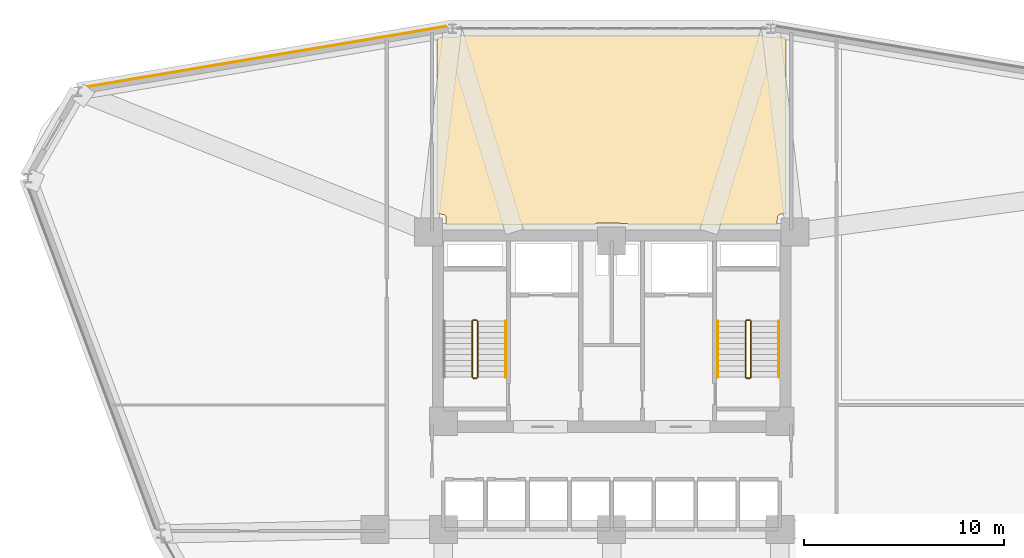
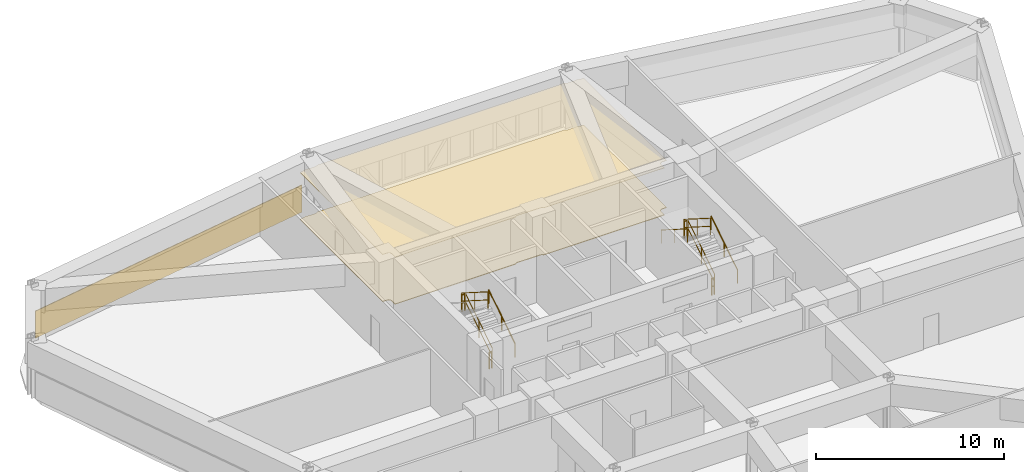
# One storey, part 19 of 20: 11 railings, 3 coverings.
"""IFC4 building model written with IfcOpenShell, lengths in metres."""

from ifc_helpers import new_model, si_unit, derived_unit, direction, frame, origin, origin_2d, place, context, subcontext, project, spatial, polyline, circle, outline, extrude, material, layer, layer_set, type_object, element, save


model = new_model("IFC4")

# Units and contexts
model_context = context("Model", 3, precision=1e-05, world=origin(), true_north=direction((0.0, 1.0)))
body_context = subcontext(model_context, "Body", "Model", "MODEL_VIEW")
ifc_project = project(units=[si_unit("LENGTHUNIT", "METRE"), si_unit("AREAUNIT", "SQUARE_METRE"), si_unit("VOLUMEUNIT", "CUBIC_METRE"), si_unit("PLANEANGLEUNIT", "RADIAN"), si_unit("MASSUNIT", "GRAM", prefix="KILO"), derived_unit("THERMALTRANSMITTANCEUNIT", [(si_unit("POWERUNIT", "WATT"), 1), (si_unit("LENGTHUNIT", "METRE"), -2), (si_unit("THERMODYNAMICTEMPERATUREUNIT", "KELVIN"), -1)])], contexts=[model_context])

# Site, building, storey
site_placement = place(None, origin())
site = spatial("IfcSite", under=ifc_project, at=site_placement, CompositionType="ELEMENT")
building_placement = place(site_placement, origin())
building = spatial("IfcBuilding", under=site, at=building_placement, Name="Korsvarv Bourse and Concert Hall", CompositionType="ELEMENT")
storey_placement = place(building_placement, frame((0.0, 0.0, 43.5)))
storey = spatial("IfcBuildingStorey", under=building, at=storey_placement, Name="L10", CompositionType="ELEMENT", Elevation=43.5)

# Coverings
ifc_material_1 = material(Name="Perforated mineral-wool and birch acoustic baffle ceiling", Category="wood")
ifc_layer_1 = layer(ifc_material_1, 0.02490234375)
ifc_layer_set_1 = layer_set([ifc_layer_1], Name="Perforated mineral-wool and birch acoustic baffle ceiling")
covering_type_1 = type_object("IfcCoveringType", Name="COV-CEIL-1", PredefinedType="CEILING", material=ifc_layer_set_1)
covering_1_placement = place(storey_placement, frame((0.0, 0.0, 3.06005859375)))
element("IfcCovering", 1, at=covering_1_placement, inside=storey, type_object=covering_type_1, Name="L10 acoustic baffle ceiling 3", PredefinedType="CEILING", context=body_context, shape_type="SweptSolid", body=[
    extrude(outline(polyline([(27.753173828125, 57.00537109375), (27.781494140625, 56.993408203125), (27.8154296875, 56.98583984375), (28.266845703125, 56.974609375), (28.302001953125, 56.977294921875), (28.336181640625, 56.98681640625), (28.367919921875, 57.002685546875), (28.395751953125, 57.02490234375), (28.418701171875, 57.0517578125), (43.57177734375, 57.0615234375), (43.59033203125, 57.038818359375), (43.616943359375, 57.016357421875), (43.6474609375, 56.99951171875), (43.680419921875, 56.98876953125), (43.715087890625, 56.984619140625), (44.14892578125, 56.974609375), (44.184326171875, 56.977294921875), (44.21875, 56.98681640625), (44.25048828125, 57.0029296875), (44.7099609375, 56.927490234375), (44.7099609375, 48.139892578125), (44.449951171875, 48.139892578125), (44.415283203125, 48.13671875), (44.3818359375, 48.126708984375), (44.35107421875, 48.1103515625), (44.323974609375, 48.08837890625), (44.301513671875, 48.061767578125), (44.28466796875, 48.03125), (44.274169921875, 47.998046875), (44.27001953125, 47.96337890625), (44.26318359375, 47.60009765625), (36.859619140625, 47.60009765625), (36.837646484375, 47.626708984375), (36.810791015625, 47.649169921875), (36.77978515625, 47.666015625), (36.74609375, 47.67626953125), (36.711181640625, 47.679931640625), (35.30126953125, 47.68994140625), (35.266357421875, 47.686767578125), (35.232421875, 47.677001953125), (35.201416015625, 47.66064453125), (35.174072265625, 47.638427734375), (35.1513671875, 47.611572265625), (27.739990234375, 47.60009765625), (27.739990234375, 47.949951171875), (27.736572265625, 47.984619140625), (27.726806640625, 48.01806640625), (27.71044921875, 48.048828125), (27.688720703125, 48.075927734375), (27.662109375, 48.098388671875), (27.631591796875, 48.114990234375), (27.598388671875, 48.125732421875), (27.56396484375, 48.1298828125), (27.2900390625, 48.135986328125), (27.2900390625, 56.927490234375), (27.753173828125, 57.00537109375)])), origin(), (0.0, 0.0, 1.0), 0.02490234375),
])
ifc_material_2 = material(Name="Warm iron-oxide extruded terracotta rainscreen tile", Category="ceramic")
ifc_layer_2 = layer(ifc_material_2, 0.044921875)
ifc_layer_set_2 = layer_set([ifc_layer_2], Name="Warm iron-oxide extruded terracotta rainscreen tile")
covering_type_2 = type_object("IfcCoveringType", Name="COV-CLD-TC", PredefinedType="CLADDING", material=ifc_layer_set_2)
covering_2_placement = place(storey_placement, origin())
element("IfcCovering", 2, at=covering_2_placement, inside=storey, type_object=covering_type_2, Name="L10 fluted terracotta cladding panel EW-L10-B04", PredefinedType="CLADDING", context=body_context, shape_type="SweptSolid", body=[
    extrude(outline(polyline([(27.740478515625, 57.48486328125), (9.636474609375, 54.440185546875), (9.62890625, 54.484619140625), (27.733154296875, 57.529296875), (27.740478515625, 57.48486328125)])), origin(), (0.0, 0.0, 1.0), 1.760009765625),
])
ifc_material_3 = material(Name="Calcium-sulphate raised access trading floor with Nordic oak top", Category="wood")
ifc_layer_3 = layer(ifc_material_3, 0.0400390625)
ifc_layer_set_3 = layer_set([ifc_layer_3], Name="Calcium-sulphate raised access trading floor with Nordic oak top")
covering_type_3 = type_object("IfcCoveringType", Name="COV-FLOR-1", PredefinedType="FLOORING", material=ifc_layer_set_3)
covering_3_placement = place(storey_placement, origin())
element("IfcCovering", 3, at=covering_3_placement, inside=storey, type_object=covering_type_3, Name="L10 raised access oak floor finish 3", PredefinedType="FLOORING", context=body_context, shape_type="SweptSolid", body=[
    extrude(outline(polyline([(27.753173828125, 57.00537109375), (27.781494140625, 56.993408203125), (27.8154296875, 56.98583984375), (28.266845703125, 56.974609375), (28.302001953125, 56.977294921875), (28.336181640625, 56.98681640625), (28.367919921875, 57.002685546875), (28.395751953125, 57.02490234375), (28.418701171875, 57.0517578125), (43.57177734375, 57.0615234375), (43.59033203125, 57.038818359375), (43.616943359375, 57.016357421875), (43.6474609375, 56.99951171875), (43.680419921875, 56.98876953125), (43.715087890625, 56.984619140625), (44.14892578125, 56.974609375), (44.184326171875, 56.977294921875), (44.21875, 56.98681640625), (44.25048828125, 57.0029296875), (44.7099609375, 56.927490234375), (44.7099609375, 48.139892578125), (44.449951171875, 48.139892578125), (44.415283203125, 48.13671875), (44.3818359375, 48.126708984375), (44.35107421875, 48.1103515625), (44.323974609375, 48.08837890625), (44.301513671875, 48.061767578125), (44.28466796875, 48.03125), (44.274169921875, 47.998046875), (44.27001953125, 47.96337890625), (44.26318359375, 47.60009765625), (36.859619140625, 47.60009765625), (36.837646484375, 47.626708984375), (36.810791015625, 47.649169921875), (36.77978515625, 47.666015625), (36.74609375, 47.67626953125), (36.711181640625, 47.679931640625), (35.30126953125, 47.68994140625), (35.266357421875, 47.686767578125), (35.232421875, 47.677001953125), (35.201416015625, 47.66064453125), (35.174072265625, 47.638427734375), (35.1513671875, 47.611572265625), (27.739990234375, 47.60009765625), (27.739990234375, 47.949951171875), (27.736572265625, 47.984619140625), (27.726806640625, 48.01806640625), (27.71044921875, 48.048828125), (27.688720703125, 48.075927734375), (27.662109375, 48.098388671875), (27.631591796875, 48.114990234375), (27.598388671875, 48.125732421875), (27.56396484375, 48.1298828125), (27.2900390625, 48.135986328125), (27.2900390625, 56.927490234375), (27.753173828125, 57.00537109375)])), origin(), (0.0, 0.0, 1.0), 0.0400390625),
])

# Railings
ifc_material_4 = material(Name="Painted Steel S355 stair well guardrail", Category="steel")
railing_type_1 = type_object("IfcRailingType", Name="RL-ST-GRD", PredefinedType="GUARDRAIL", material=ifc_material_4)
railing_1_placement = place(storey_placement, frame((29.31005859375, 40.0, 0.17724609375)))
element("IfcRailing", 4, at=railing_1_placement, inside=storey, type_object=railing_type_1, Name="L10 ST-T1 stair guard 1", PredefinedType="GUARDRAIL", context=body_context, shape_type="SweptSolid", body=[
    extrude(circle(Radius=0.02392578125, at=origin_2d()), frame((0.0, 0.0, 1.076171875), z_axis=(0.0, 0.844908973607, 0.534910110503), x_axis=(-1.0, 0.0, 0.0)), (0.0, 0.0, 1.0), 3.31396484375),
    extrude(circle(Radius=0.02392578125, at=origin_2d()), frame((0.0, 0.0, 0.550048828125), z_axis=(0.0, 0.844908973607, 0.534910110503), x_axis=(-1.0, 0.0, 0.0)), (0.0, 0.0, 1.0), 3.31396484375),
    extrude(circle(Radius=0.02099609375, at=origin_2d()), origin(), (0.0, 0.0, 1.0), 1.052001953125),
    extrude(circle(Radius=0.02099609375, at=origin_2d()), frame((0.0, 1.39990234375, 0.88623046875)), (0.0, 0.0, 1.0), 1.052001953125),
    extrude(circle(Radius=0.02099609375, at=origin_2d()), frame((0.0, 2.800048828125, 1.772705078125)), (0.0, 0.0, 1.0), 1.052001953125),
])
railing_2_placement = place(storey_placement, frame((29.260009765625, 42.85009765625, 1.949951171875)))
element("IfcRailing", 5, at=railing_2_placement, inside=storey, type_object=railing_type_1, Name="L10 ST-T1 stair guard 2", PredefinedType="GUARDRAIL", context=body_context, shape_type="SweptSolid", body=[
    extrude(circle(Radius=0.02392578125, at=origin_2d()), frame((0.0, 0.0, 1.076171875), z_axis=(-1.0, 0.0, 0.0), x_axis=(0.0, -1.0, 0.0)), (0.0, 0.0, 1.0), 0.159912109375),
    extrude(circle(Radius=0.02392578125, at=origin_2d()), frame((0.0, 0.0, 0.550048828125), z_axis=(-1.0, 0.0, 0.0), x_axis=(0.0, -1.0, 0.0)), (0.0, 0.0, 1.0), 0.159912109375),
    extrude(circle(Radius=0.02099609375, at=origin_2d()), origin(), (0.0, 0.0, 1.0), 1.052001953125),
    extrude(circle(Radius=0.02099609375, at=origin_2d()), frame((-0.159912109375, 0.0, 0.0)), (0.0, 0.0, 1.0), 1.052001953125),
])
railing_3_placement = place(storey_placement, frame((29.050048828125, 42.800048828125, 2.127197265625)))
element("IfcRailing", 6, at=railing_3_placement, inside=storey, type_object=railing_type_1, Name="L10 ST-T1 stair guard 3", PredefinedType="GUARDRAIL", context=body_context, shape_type="SweptSolid", body=[
    extrude(circle(Radius=0.02392578125, at=origin_2d()), frame((0.0, 0.0, 1.076171875), z_axis=(0.0, -0.844908973607, 0.534910110503), x_axis=(1.0, 0.0, 0.0)), (0.0, 0.0, 1.0), 3.31396484375),
    extrude(circle(Radius=0.02392578125, at=origin_2d()), frame((0.0, 0.0, 0.550048828125), z_axis=(0.0, -0.844908973607, 0.534910110503), x_axis=(1.0, 0.0, 0.0)), (0.0, 0.0, 1.0), 3.31396484375),
    extrude(circle(Radius=0.02099609375, at=origin_2d()), origin(), (0.0, 0.0, 1.0), 1.052001953125),
    extrude(circle(Radius=0.02099609375, at=origin_2d()), frame((0.0, -1.39990234375, 0.88623046875)), (0.0, 0.0, 1.0), 1.052001953125),
    extrude(circle(Radius=0.02099609375, at=origin_2d()), frame((0.0, -2.800048828125, 1.772705078125)), (0.0, 0.0, 1.0), 1.052001953125),
])
railing_4_placement = place(storey_placement, frame((29.260009765625, 39.949951171875, 0.0)))
element("IfcRailing", 7, at=railing_4_placement, inside=storey, type_object=railing_type_1, Name="L10 ST-T1 stair guard 4", PredefinedType="GUARDRAIL", context=body_context, shape_type="SweptSolid", body=[
    extrude(circle(Radius=0.02392578125, at=origin_2d()), frame((0.0, 0.0, 1.076171875), z_axis=(-1.0, 0.0, 0.0), x_axis=(0.0, -1.0, 0.0)), (0.0, 0.0, 1.0), 0.159912109375),
    extrude(circle(Radius=0.02392578125, at=origin_2d()), frame((0.0, 0.0, 0.550048828125), z_axis=(-1.0, 0.0, 0.0), x_axis=(0.0, -1.0, 0.0)), (0.0, 0.0, 1.0), 0.159912109375),
    extrude(circle(Radius=0.02099609375, at=origin_2d()), origin(), (0.0, 0.0, 1.0), 1.052001953125),
    extrude(circle(Radius=0.02099609375, at=origin_2d()), frame((-0.159912109375, 0.0, 0.0)), (0.0, 0.0, 1.0), 1.052001953125),
])
railing_5_placement = place(storey_placement, frame((42.949951171875, 40.0, 0.17724609375)))
element("IfcRailing", 8, at=railing_5_placement, inside=storey, type_object=railing_type_1, Name="L10 ST-T2 stair guard 1", PredefinedType="GUARDRAIL", context=body_context, shape_type="SweptSolid", body=[
    extrude(circle(Radius=0.02392578125, at=origin_2d()), frame((0.0, 0.0, 1.076171875), z_axis=(0.0, 0.844908973607, 0.534910110503), x_axis=(-1.0, 0.0, 0.0)), (0.0, 0.0, 1.0), 3.31396484375),
    extrude(circle(Radius=0.02392578125, at=origin_2d()), frame((0.0, 0.0, 0.550048828125), z_axis=(0.0, 0.844908973607, 0.534910110503), x_axis=(-1.0, 0.0, 0.0)), (0.0, 0.0, 1.0), 3.31396484375),
    extrude(circle(Radius=0.02099609375, at=origin_2d()), origin(), (0.0, 0.0, 1.0), 1.052001953125),
    extrude(circle(Radius=0.02099609375, at=origin_2d()), frame((0.0, 1.39990234375, 0.88623046875)), (0.0, 0.0, 1.0), 1.052001953125),
    extrude(circle(Radius=0.02099609375, at=origin_2d()), frame((0.0, 2.800048828125, 1.772705078125)), (0.0, 0.0, 1.0), 1.052001953125),
])
railing_6_placement = place(storey_placement, frame((42.89990234375, 42.85009765625, 1.949951171875)))
element("IfcRailing", 9, at=railing_6_placement, inside=storey, type_object=railing_type_1, Name="L10 ST-T2 stair guard 2", PredefinedType="GUARDRAIL", context=body_context, shape_type="SweptSolid", body=[
    extrude(circle(Radius=0.02392578125, at=origin_2d()), frame((0.0, 0.0, 1.076171875), z_axis=(-1.0, 0.0, 0.0), x_axis=(0.0, -1.0, 0.0)), (0.0, 0.0, 1.0), 0.159912109375),
    extrude(circle(Radius=0.02392578125, at=origin_2d()), frame((0.0, 0.0, 0.550048828125), z_axis=(-1.0, 0.0, 0.0), x_axis=(0.0, -1.0, 0.0)), (0.0, 0.0, 1.0), 0.159912109375),
    extrude(circle(Radius=0.02099609375, at=origin_2d()), origin(), (0.0, 0.0, 1.0), 1.052001953125),
    extrude(circle(Radius=0.02099609375, at=origin_2d()), frame((-0.159912109375, 0.0, 0.0)), (0.0, 0.0, 1.0), 1.052001953125),
])
railing_7_placement = place(storey_placement, frame((42.68994140625, 42.800048828125, 2.127197265625)))
element("IfcRailing", 10, at=railing_7_placement, inside=storey, type_object=railing_type_1, Name="L10 ST-T2 stair guard 3", PredefinedType="GUARDRAIL", context=body_context, shape_type="SweptSolid", body=[
    extrude(circle(Radius=0.02392578125, at=origin_2d()), frame((0.0, 0.0, 1.076171875), z_axis=(0.0, -0.844908973607, 0.534910110503), x_axis=(1.0, 0.0, 0.0)), (0.0, 0.0, 1.0), 3.31396484375),
    extrude(circle(Radius=0.02392578125, at=origin_2d()), frame((0.0, 0.0, 0.550048828125), z_axis=(0.0, -0.844908973607, 0.534910110503), x_axis=(1.0, 0.0, 0.0)), (0.0, 0.0, 1.0), 3.31396484375),
    extrude(circle(Radius=0.02099609375, at=origin_2d()), origin(), (0.0, 0.0, 1.0), 1.052001953125),
    extrude(circle(Radius=0.02099609375, at=origin_2d()), frame((0.0, -1.39990234375, 0.88623046875)), (0.0, 0.0, 1.0), 1.052001953125),
    extrude(circle(Radius=0.02099609375, at=origin_2d()), frame((0.0, -2.800048828125, 1.772705078125)), (0.0, 0.0, 1.0), 1.052001953125),
])
railing_8_placement = place(storey_placement, frame((42.89990234375, 39.949951171875, 0.0)))
element("IfcRailing", 11, at=railing_8_placement, inside=storey, type_object=railing_type_1, Name="L10 ST-T2 stair guard 4", PredefinedType="GUARDRAIL", context=body_context, shape_type="SweptSolid", body=[
    extrude(circle(Radius=0.02392578125, at=origin_2d()), frame((0.0, 0.0, 1.076171875), z_axis=(-1.0, 0.0, 0.0), x_axis=(0.0, -1.0, 0.0)), (0.0, 0.0, 1.0), 0.159912109375),
    extrude(circle(Radius=0.02392578125, at=origin_2d()), frame((0.0, 0.0, 0.550048828125), z_axis=(-1.0, 0.0, 0.0), x_axis=(0.0, -1.0, 0.0)), (0.0, 0.0, 1.0), 0.159912109375),
    extrude(circle(Radius=0.02099609375, at=origin_2d()), origin(), (0.0, 0.0, 1.0), 1.052001953125),
    extrude(circle(Radius=0.02099609375, at=origin_2d()), frame((-0.159912109375, 0.0, 0.0)), (0.0, 0.0, 1.0), 1.052001953125),
])
ifc_material_5 = material(Name="Brushed stainless Steel S355 tubular handrail", Category="steel")
railing_type_2 = type_object("IfcRailingType", Name="RL-ST-HND", PredefinedType="HANDRAIL", material=ifc_material_5)
for number, where, name in (
    (12, (30.7099609375, 40.0, 0.17724609375), "L10 ST-T1 stair handrail 1"),
    (13, (44.35009765625, 40.0, 0.17724609375), "L10 ST-T2 stair handrail 1"),
):
    element("IfcRailing", number, at=place(storey_placement, frame(where)), inside=storey, type_object=railing_type_2, Name=name, PredefinedType="HANDRAIL", context=body_context, shape_type="SweptSolid", body=[
        extrude(circle(Radius=0.02392578125, at=origin_2d()), frame((0.0, 0.0, 0.8759765625), z_axis=(0.0, 0.844908973607, 0.534910110503), x_axis=(-1.0, 0.0, 0.0)), (0.0, 0.0, 1.0), 3.31396484375),
        extrude(circle(Radius=0.02099609375, at=origin_2d()), origin(), (0.0, 0.0, 1.0), 0.851806640625),
        extrude(circle(Radius=0.02099609375, at=origin_2d()), frame((0.0, 1.39990234375, 0.88623046875)), (0.0, 0.0, 1.0), 0.851806640625),
        extrude(circle(Radius=0.02099609375, at=origin_2d()), frame((0.0, 2.800048828125, 1.772705078125)), (0.0, 0.0, 1.0), 0.851806640625),
    ])
railing_9_placement = place(storey_placement, frame((41.2900390625, 42.800048828125, 2.127197265625)))
element("IfcRailing", 14, at=railing_9_placement, inside=storey, type_object=railing_type_2, Name="L10 ST-T2 stair handrail 2", PredefinedType="HANDRAIL", context=body_context, shape_type="SweptSolid", body=[
    extrude(circle(Radius=0.02392578125, at=origin_2d()), frame((0.0, 0.0, 0.8759765625), z_axis=(0.0, -0.844908973607, 0.534910110503), x_axis=(1.0, 0.0, 0.0)), (0.0, 0.0, 1.0), 3.31396484375),
    extrude(circle(Radius=0.02099609375, at=origin_2d()), origin(), (0.0, 0.0, 1.0), 0.851806640625),
    extrude(circle(Radius=0.02099609375, at=origin_2d()), frame((0.0, -1.39990234375, 0.88623046875)), (0.0, 0.0, 1.0), 0.851806640625),
    extrude(circle(Radius=0.02099609375, at=origin_2d()), frame((0.0, -2.800048828125, 1.772705078125)), (0.0, 0.0, 1.0), 0.851806640625),
])

save(model, "model.ifc")
